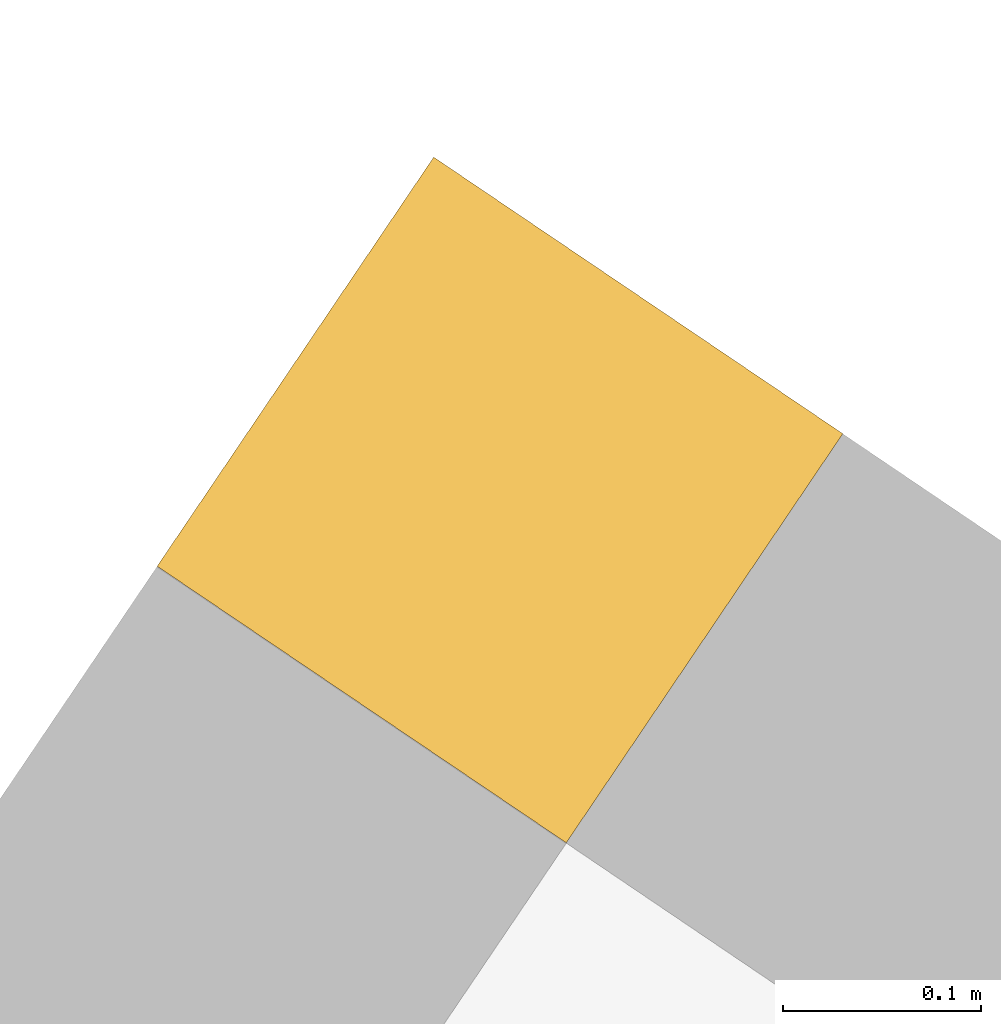
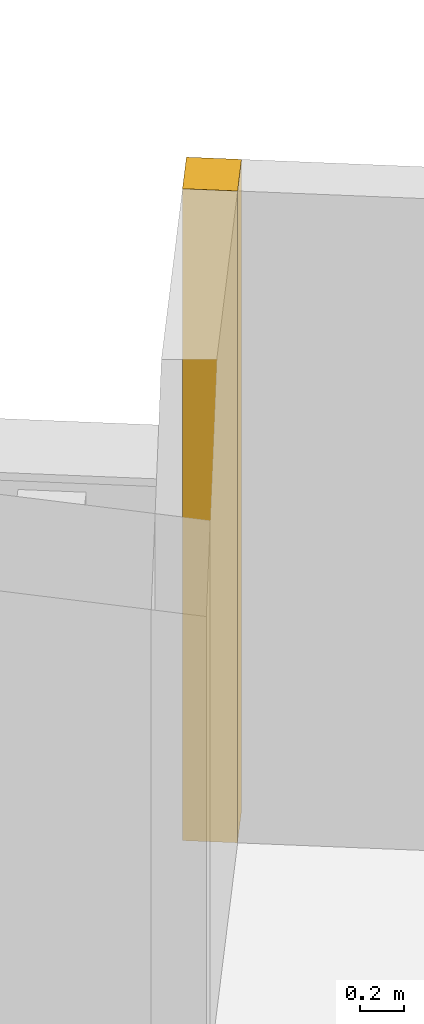
# One storey, part 12 of 13: 1 shading device.
"""IFC4 building model written with IfcOpenShell, lengths in metres."""

from ifc_helpers import new_model, si_unit, direction, frame, origin, origin_2d, place, context, subcontext, project, spatial, rectangle, extrude, material, type_object, element, save


model = new_model("IFC4")

# Units and contexts
model_context = context("Model", 3, precision=1e-05, world=origin(), true_north=direction((0.0, 1.0)))
body_context = subcontext(model_context, "Body", "Model", "MODEL_VIEW")
ifc_project = project(units=[si_unit("LENGTHUNIT", "METRE"), si_unit("AREAUNIT", "SQUARE_METRE"), si_unit("VOLUMEUNIT", "CUBIC_METRE"), si_unit("PLANEANGLEUNIT", "RADIAN"), si_unit("MASSUNIT", "GRAM", prefix="KILO")], contexts=[model_context])

# Site, building, storey
site_placement = place(None, origin())
site = spatial("IfcSite", under=ifc_project, at=site_placement, CompositionType="ELEMENT")
building_placement = place(site_placement, origin())
building = spatial("IfcBuilding", under=site, at=building_placement, Name="Tarsis Ring Headquarters", CompositionType="ELEMENT")
storey_placement = place(building_placement, frame((0.0, 0.0, 135.699951171875)))
storey = spatial("IfcBuildingStorey", under=building, at=storey_placement, Name="L31", CompositionType="ELEMENT", Elevation=135.699951171875)

# Shading device
ifc_material = material(Name="Terracotta baguette", Category="masonry")
shading_device_type = type_object("IfcShadingDeviceType", Name="Terracotta corner baguette 250x250", PredefinedType="USERDEFINED", material=ifc_material)
shading_device_placement = place(storey_placement, frame((-31.3544921875, 35.53076171875, 0.0), z_axis=(0.0, 0.0, 1.0), x_axis=(-0.828451552202, 0.560060733898, 0.0)))
element("IfcShadingDevice", 1, at=shading_device_placement, inside=storey, type_object=shading_device_type, Name="Corner baguette L31-32", ObjectType="Terracotta corner baguette", PredefinedType="USERDEFINED", context=body_context, shape_type="SweptSolid", body=[
    extrude(rectangle(XDim=0.25, YDim=0.25, at=origin_2d()), origin(), (0.0, 0.0, 1.0), 3.60009765625),
])

save(model, "model.ifc")
